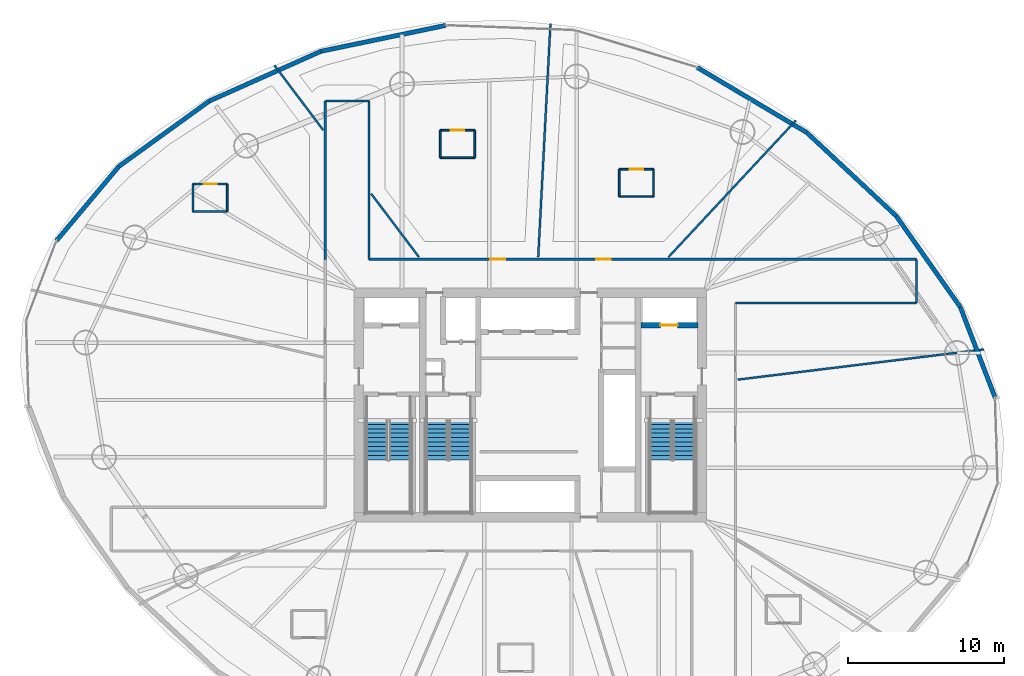
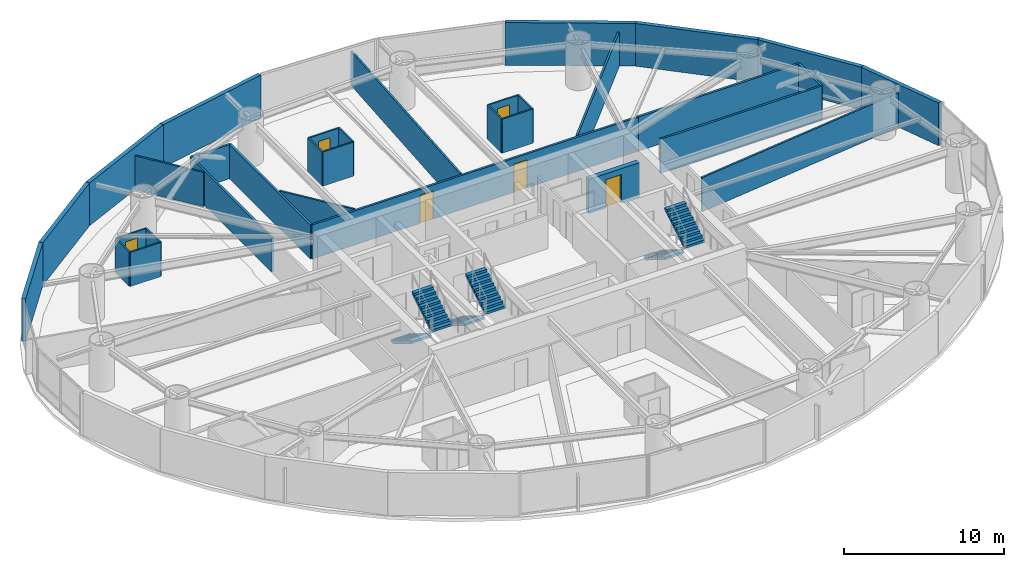
# One storey, part 23 of 27: 33 walls, 6 doors, 6 stair flights, 6 openings, 3 elements without a shape of their own.
"""IFC4 building model written with IfcOpenShell, lengths in metres."""

import ifcopenshell
import ifcopenshell.guid

model = None  # the IFC model being written
_history = None  # IfcOwnerHistory: only IFC2X3 demands one
_inside = {}  # id of a spatial element -> (the spatial element, [elements in it])
_under = {}  # id of a project, library or spatial element -> (it, [spatial elements below it])
_declared = {}  # id of a project -> (the project, [libraries it declares])
_typed = {}  # id of a type object -> (the type object, [elements of that type])
_made_of = {}  # id of a material, layer set ... -> (it, [elements and type objects made of it])


def new_model(schema):
    """Start an empty IFC model of exactly this schema.

    Asked for "IFC4X3", IfcOpenShell would pick the latest addendum, in which some entities
    have other attributes; the version numbers below select the first issue.
    IFC2X3 requires an IfcOwnerHistory on every rooted entity: one is made here for all.
    """
    global model, _history
    if schema == "IFC4X3":
        model = ifcopenshell.file(schema_version=(4, 3, 0, 0))
    else:
        model = ifcopenshell.file(schema=schema)
    _inside.clear()
    _under.clear()
    _declared.clear()
    _typed.clear()
    _made_of.clear()
    _history = None
    if model.schema == "IFC2X3":
        org = make("IfcOrganization", Name="unknown")
        user = make(
            "IfcPersonAndOrganization",
            ThePerson=make("IfcPerson", FamilyName="unknown"),
            TheOrganization=org,
        )
        app = make(
            "IfcApplication",
            ApplicationDeveloper=org,
            Version="unknown",
            ApplicationFullName="unknown",
            ApplicationIdentifier="unknown",
        )
        _history = make(
            "IfcOwnerHistory",
            OwningUser=user,
            OwningApplication=app,
            ChangeAction="ADDED",
            CreationDate=0,
        )
    return model


def make(cls, **values):
    """One entity of the class cls with the attributes given. An attribute that is None is left unset."""
    return model.create_entity(
        cls, **{name: value for name, value in values.items() if value is not None}
    )


def rooted(cls, **values):
    """An entity with a GlobalId (a new one), such as an element, a storey or a relation."""
    return make(cls, GlobalId=ifcopenshell.guid.new(), OwnerHistory=_history, **values)


def si_unit(unit_type, name, prefix=None):
    """IfcSIUnit, for example si_unit("LENGTHUNIT", "METRE", prefix="MILLI")."""
    return make("IfcSIUnit", UnitType=unit_type, Prefix=prefix, Name=name)


def assignment(units):
    """IfcUnitAssignment: the units of a project."""
    return None if units is None else make("IfcUnitAssignment", Units=units)


def point(xyz):
    """IfcCartesianPoint."""
    return None if xyz is None else make("IfcCartesianPoint", Coordinates=xyz)


def direction(xyz):
    """IfcDirection."""
    return None if xyz is None else make("IfcDirection", DirectionRatios=xyz)


def frame(location, z_axis=None, x_axis=None):
    """IfcAxis2Placement3D, a coordinate frame: its origin and axes. An axis left out is left unset."""
    return make(
        "IfcAxis2Placement3D",
        Location=point(location),
        Axis=direction(z_axis),
        RefDirection=direction(x_axis),
    )


def frame_2d(location, x_axis=None):
    """IfcAxis2Placement2D, a coordinate frame in the plane: its origin and x axis."""
    return make(
        "IfcAxis2Placement2D", Location=point(location), RefDirection=direction(x_axis)
    )


def origin():
    """The frame at (0, 0, 0) with its axes left unset."""
    return frame((0.0, 0.0, 0.0))


def place(relative_to, where):
    """IfcLocalPlacement: puts the frame where relative to a parent placement (None: the world)."""
    return make(
        "IfcLocalPlacement", PlacementRelTo=relative_to, RelativePlacement=where
    )


def context(
    kind, dimensions, precision=None, world=None, true_north=None, identifier=None
):
    """IfcGeometricRepresentationContext, for example the 3D "Model" context."""
    return make(
        "IfcGeometricRepresentationContext",
        ContextIdentifier=identifier,
        ContextType=kind,
        CoordinateSpaceDimension=dimensions,
        Precision=precision,
        WorldCoordinateSystem=world,
        TrueNorth=true_north,
    )


def subcontext(parent, identifier, kind, view, scale=None):
    """IfcGeometricRepresentationSubContext, for example "Body" below "Model"."""
    return make(
        "IfcGeometricRepresentationSubContext",
        ContextIdentifier=identifier,
        ContextType=kind,
        ParentContext=parent,
        TargetScale=scale,
        TargetView=view,
    )


def project(units=None, contexts=None):
    """IfcProject with its units and contexts."""
    return rooted(
        "IfcProject",
        Name="project",
        RepresentationContexts=contexts,
        UnitsInContext=assignment(units),
    )


def spatial(cls, under=None, at=None, **own):
    """A site, building, storey or space (cls), placed at a placement, below another one or the project."""
    s = rooted(cls, ObjectPlacement=at, **own)
    if under is not None:
        _under.setdefault(under.id(), (under, []))[1].append(s)
    return s


def polyline(points):
    """IfcPolyline through the points."""
    return make("IfcPolyline", Points=[point(p) for p in points])


def profile(cls, at=None, kind="AREA", **sizes):
    """A parametric profile (cls). Its sizes go by their IFC names, for example OverallWidth=200.0."""
    return make(cls, ProfileType=kind, Position=at, **sizes)


def rectangle(**sizes):
    """IfcRectangleProfileDef."""
    return profile("IfcRectangleProfileDef", **sizes)


def outline(outer, holes=None, kind="AREA"):
    """IfcArbitraryClosedProfileDef: a profile drawn as a closed curve; with holes, ...WithVoids."""
    if holes is None:
        return make("IfcArbitraryClosedProfileDef", ProfileType=kind, OuterCurve=outer)
    return make(
        "IfcArbitraryProfileDefWithVoids",
        ProfileType=kind,
        OuterCurve=outer,
        InnerCurves=holes,
    )


def extrude(swept, where, along, depth):
    """IfcExtrudedAreaSolid: the profile swept, set in the frame where, extruded along a direction by depth."""
    return make(
        "IfcExtrudedAreaSolid",
        SweptArea=swept,
        Position=where,
        ExtrudedDirection=direction(along),
        Depth=depth,
    )


def shape(context_of_items, identifier, shape_type, items):
    """IfcShapeRepresentation: the items that make up one representation, for example the "Body"."""
    return make(
        "IfcShapeRepresentation",
        ContextOfItems=context_of_items,
        RepresentationIdentifier=identifier,
        RepresentationType=shape_type,
        Items=items,
    )


def material(Name=None, Category=None):
    """IfcMaterial."""
    return make("IfcMaterial", Name=Name, Category=Category)


def layer(
    of_material, thickness, ventilated=None, Name=None, Category=None, Priority=None
):
    """IfcMaterialLayer: one layer of a wall or slab, of a material (None: an air gap)."""
    return make(
        "IfcMaterialLayer",
        Material=of_material,
        LayerThickness=thickness,
        IsVentilated=ventilated,
        Name=Name,
        Category=Category,
        Priority=Priority,
    )


def layer_set(layers, Name=None):
    """IfcMaterialLayerSet."""
    return make("IfcMaterialLayerSet", MaterialLayers=layers, LayerSetName=Name)


def made_of(thing, what):
    """Note that an element or type object is made of a material, layer set ...; save() writes the relation."""
    if what is not None:
        _made_of.setdefault(what.id(), (what, []))[1].append(thing)
    return thing


def type_object(cls, material=None, **own):
    """A type object (cls), such as IfcWallType, which elements share."""
    return made_of(rooted(cls, **own), material)


def element(
    cls,
    number,
    at=None,
    inside=None,
    cuts=None,
    type_object=None,
    material=None,
    context=None,
    identifier="Body",
    shape_type=None,
    held_by="IfcProductDefinitionShape",
    body=None,
    shapes=None,
    **own,
):
    """One element of the class cls, such as IfcWall. Its Tag is "e" and its number.

    at: its placement. inside: the storey or other place that contains it. cuts: it is an
    opening in that element (IfcRelVoidsElement). A single representation is given by context,
    identifier, shape_type and body (its items); several are given by shapes. held_by: the class
    of the entity that holds the representations. save() writes the other relations.
    """
    e = rooted(cls, Tag="e%d" % number, ObjectPlacement=at, **own)
    if body is not None:
        shapes = [shape(context, identifier, shape_type, body)]
    if shapes is not None:
        e.Representation = make(held_by, Representations=shapes)
    if inside is not None:
        _inside.setdefault(inside.id(), (inside, []))[1].append(e)
    if cuts is not None:
        rooted(
            "IfcRelVoidsElement", RelatingBuildingElement=cuts, RelatedOpeningElement=e
        )
    if type_object is not None:
        _typed.setdefault(type_object.id(), (type_object, []))[1].append(e)
    return made_of(e, material)


def fill(opening, filler):
    """IfcRelFillsElement: the door or window that sits in an opening."""
    return rooted(
        "IfcRelFillsElement",
        RelatingOpeningElement=opening,
        RelatedBuildingElement=filler,
    )


def aggregate(whole, parts):
    """IfcRelAggregates: a whole, such as a stair, and the parts it consists of."""
    return rooted("IfcRelAggregates", RelatingObject=whole, RelatedObjects=parts)


def save(model, path):
    """Write the relations noted so far, then the file.

    IfcRelAggregates (storeys below a building ...), IfcRelContainedInSpatialStructure (elements
    in a storey), IfcRelDefinesByType, IfcRelAssociatesMaterial and IfcRelDeclares: one each for
    every whole, place, type object, material and project.
    """
    for whole, parts in _under.values():
        aggregate(whole, parts)
    for where, things in _inside.values():
        rooted(
            "IfcRelContainedInSpatialStructure",
            RelatedElements=things,
            RelatingStructure=where,
        )
    for kind, things in _typed.values():
        rooted("IfcRelDefinesByType", RelatedObjects=things, RelatingType=kind)
    for what, things in _made_of.values():
        rooted("IfcRelAssociatesMaterial", RelatedObjects=things, RelatingMaterial=what)
    for by, libraries in _declared.values():
        rooted("IfcRelDeclares", RelatingContext=by, RelatedDefinitions=libraries)
    model.write(path)


model = new_model("IFC4")

# Units and contexts
model_context = context("Model", 3, precision=1e-05, world=origin(), true_north=direction((0.0, 1.0)))
body_context = subcontext(model_context, "Body", "Model", "MODEL_VIEW")
ifc_project = project(units=[si_unit("LENGTHUNIT", "METRE"), si_unit("AREAUNIT", "SQUARE_METRE"), si_unit("VOLUMEUNIT", "CUBIC_METRE"), si_unit("PLANEANGLEUNIT", "RADIAN"), si_unit("MASSUNIT", "GRAM", prefix="KILO")], contexts=[model_context])

# Site, building, storey
site_placement = place(None, origin())
site = spatial("IfcSite", under=ifc_project, at=site_placement, CompositionType="ELEMENT")
building_placement = place(site_placement, origin())
building = spatial("IfcBuilding", under=site, at=building_placement, Name="Bramvorn Convention Spire", CompositionType="ELEMENT")
storey_placement = place(building_placement, frame((0.0, 0.0, 72.89990234375)))
storey = spatial("IfcBuildingStorey", under=building, at=storey_placement, Name="L16", CompositionType="ELEMENT", Elevation=72.89990234375)

# Wall, opening, door
ifc_material_1 = material(Name="Concrete C50/60", Category="concrete")
ifc_layer_1 = layer(ifc_material_1, 0.35009765625)
ifc_layer_set_1 = layer_set([ifc_layer_1], Name="Concrete C50/60 - WL-CORE-INT-350")
wall_type_1 = type_object("IfcWallType", Name="WL-CORE-INT-350", PredefinedType="SHEAR", material=ifc_layer_set_1)
wall_1_placement = place(storey_placement, frame((45.080078125, 31.1201171875, 0.0), z_axis=(0.0, 0.0, 1.0), x_axis=(1.0, 0.0, 0.0)))
wall_1 = element("IfcWall", 1, at=wall_1_placement, inside=storey, type_object=wall_type_1, Name="L16 FE2 shaft front wall", PredefinedType="SHEAR", context=body_context, shape_type="SweptSolid", body=[
    extrude(rectangle(XDim=3.669921875, YDim=0.35009765625, at=frame_2d((1.8349609375, 0.0))), origin(), (0.0, 0.0, 1.0), 2.60009765625),
])
opening_1_placement = place(wall_1_placement, frame((1.25, 0.0, 0.0)))
opening_1 = element("IfcOpeningElement", 2, at=opening_1_placement, cuts=wall_1, Name="Opening LD-110", PredefinedType="OPENING", context=body_context, shape_type="SweptSolid", body=[
    extrude(rectangle(XDim=1.10009765625, YDim=2.14990234375, at=frame_2d((0.550048828125, 1.074951171875))), frame((0.0, 0.18505859375, 0.0), z_axis=(0.0, -1.0, 0.0), x_axis=(1.0, 0.0, 0.0)), (0.0, 0.0, 1.0), 0.3701171875),
])
ifc_material_2 = material(Name="Firefighting & Service Lift Sliding Landing Door", Category="steel")
door_type_1 = type_object("IfcDoorType", Name="DR-LIFT-LD-1100", OperationType="NOTDEFINED", PredefinedType="DOOR", material=ifc_material_2)
door_1_placement = place(opening_1_placement, origin())
door_1 = element("IfcDoor", 3, at=door_1_placement, inside=storey, type_object=door_type_1, Name="L16 Lift FE2 Sliding Landing Door", OperationType="SLIDING_TO_LEFT", OverallHeight=2.14990234375, OverallWidth=1.10009765625, PredefinedType="DOOR", context=body_context, shape_type="SweptSolid", body=[
    extrude(rectangle(XDim=1.10009765625, YDim=2.14990234375, at=frame_2d((0.550048828125, 1.074951171875))), frame((0.0, 0.02490234375, 0.0), z_axis=(0.0, -1.0, 0.0), x_axis=(1.0, 0.0, 0.0)), (0.0, 0.0, 1.0), 0.050048828125),
])
fill(opening_1, door_1)

# Walls
ifc_material_3 = material(Name="Precast Concrete C40/50 with Bronze Terracotta Rainscreen", Category="masonry")
ifc_layer_2 = layer(ifc_material_3, 0.300048828125)
ifc_layer_set_2 = layer_set([ifc_layer_2], Name="Precast Concrete C40/50 with Bronze Terracotta Rainscreen - WL-EXT-BRONZE-300")
wall_type_2 = type_object("IfcWallType", Name="WL-EXT-BRONZE-300", PredefinedType="SOLIDWALL", material=ifc_layer_set_2)
wall_2_placement = place(storey_placement, frame((65.5634765625, 32.279296875, 0.0), z_axis=(0.0, 0.0, 1.0), x_axis=(0.358705168574, -0.933450910353, 0.0)))
element("IfcWall", 4, at=wall_2_placement, inside=storey, type_object=wall_type_2, Name="L16 expressed bronze Gothic lancet pier wall 02", PredefinedType="SOLIDWALL", context=body_context, shape_type="SweptSolid", body=[
    extrude(rectangle(XDim=6.2119140625, YDim=0.280029296875, at=frame_2d((3.10595703125, 0.0))), origin(), (0.0, 0.0, 1.0), 3.25),
])
wall_3_placement = place(storey_placement, frame((61.452392578125, 38.12060546875, 0.0), z_axis=(0.0, 0.0, 1.0), x_axis=(0.575543356888, -0.817771266518, 0.0)))
element("IfcWall", 5, at=wall_3_placement, inside=storey, type_object=wall_type_2, Name="L16 expressed bronze Gothic lancet pier wall 03", PredefinedType="SOLIDWALL", context=body_context, shape_type="SweptSolid", body=[
    extrude(rectangle(XDim=7.14306640625, YDim=0.280029296875, at=frame_2d((3.571533203125, 0.0))), origin(), (0.0, 0.0, 1.0), 3.25),
])
wall_4_placement = place(storey_placement, frame((55.716796875, 43.472412109375, 0.0), z_axis=(0.0, 0.0, 1.0), x_axis=(0.731145300825, -0.682221774119, 0.0)))
element("IfcWall", 6, at=wall_4_placement, inside=storey, type_object=wall_type_2, Name="L16 expressed bronze Gothic lancet pier wall 04", PredefinedType="SOLIDWALL", context=body_context, shape_type="SweptSolid", body=[
    extrude(rectangle(XDim=7.8447265625, YDim=0.280029296875, at=frame_2d((3.92236328125, 0.0))), origin(), (0.0, 0.0, 1.0), 3.25),
])
wall_5_placement = place(storey_placement, frame((48.693115234375, 47.647216796875, 0.0), z_axis=(0.0, 0.0, 1.0), x_axis=(0.859613214245, -0.510945321825, 0.0)))
element("IfcWall", 7, at=wall_5_placement, inside=storey, type_object=wall_type_2, Name="L16 expressed bronze Gothic lancet pier wall 05", PredefinedType="SOLIDWALL", context=body_context, shape_type="SweptSolid", body=[
    extrude(rectangle(XDim=8.170654296875, YDim=0.280029296875, at=frame_2d((4.08544921875, 0.0))), origin(), (0.0, 0.0, 1.0), 3.25),
])
wall_6_placement = place(storey_placement, frame((24.56982421875, 48.6845703125, 0.0), z_axis=(0.0, 0.0, 1.0), x_axis=(0.979128564845, 0.203241859626, 0.0)))
element("IfcWall", 8, at=wall_6_placement, inside=storey, type_object=wall_type_2, Name="L16 expressed bronze Gothic lancet pier wall 08", PredefinedType="SOLIDWALL", context=body_context, shape_type="SweptSolid", body=[
    extrude(rectangle(XDim=8.1708984375, YDim=0.280029296875, at=frame_2d((4.08544921875, 0.0))), origin(), (0.0, 0.0, 1.0), 3.25),
])
wall_7_placement = place(storey_placement, frame((17.404296875, 45.49169921875, 0.0), z_axis=(0.0, 0.0, 1.0), x_axis=(0.913423554357, 0.407010331989, 0.0)))
element("IfcWall", 9, at=wall_7_placement, inside=storey, type_object=wall_type_2, Name="L16 expressed bronze Gothic lancet pier wall 09", PredefinedType="SOLIDWALL", context=body_context, shape_type="SweptSolid", body=[
    extrude(rectangle(XDim=7.8447265625, YDim=0.280029296875, at=frame_2d((3.92236328125, 0.0))), origin(), (0.0, 0.0, 1.0), 3.25),
])
wall_8_placement = place(storey_placement, frame((11.615478515625, 41.306884765625, 0.0), z_axis=(0.0, 0.0, 1.0), x_axis=(0.810413271272, 0.585858626075, 0.0)))
element("IfcWall", 10, at=wall_8_placement, inside=storey, type_object=wall_type_2, Name="L16 expressed bronze Gothic lancet pier wall 10", PredefinedType="SOLIDWALL", context=body_context, shape_type="SweptSolid", body=[
    extrude(rectangle(XDim=7.14306640625, YDim=0.280029296875, at=frame_2d((3.571533203125, 0.0))), origin(), (0.0, 0.0, 1.0), 3.25),
])
wall_9_placement = place(storey_placement, frame((7.62060546875, 36.5498046875, 0.0), z_axis=(0.0, 0.0, 1.0), x_axis=(0.643090693199, 0.76579002365, 0.0)))
element("IfcWall", 11, at=wall_9_placement, inside=storey, type_object=wall_type_2, Name="L16 expressed bronze Gothic lancet pier wall 11", PredefinedType="SOLIDWALL", context=body_context, shape_type="SweptSolid", body=[
    extrude(rectangle(XDim=6.2119140625, YDim=0.280029296875, at=frame_2d((3.10595703125, 0.0))), origin(), (0.0, 0.0, 1.0), 3.25),
])
ifc_material_4 = material(Name="Lightweight En-Suite & Wet-Wall Partition", Category="gypsum")
ifc_layer_3 = layer(ifc_material_4, 0.110107421875)
ifc_layer_set_3 = layer_set([ifc_layer_3], Name="Lightweight En-Suite & Wet-Wall Partition - WL-PART-110")
wall_type_3 = type_object("IfcWallType", Name="WL-PART-110", PredefinedType="PARTITIONING", material=ifc_layer_set_3)
wall_10_placement = place(storey_placement, frame((43.696044921875, 39.3662109375, 0.0), z_axis=(0.0, 0.0, 1.0), x_axis=(1.0, 0.0, 0.0)))
element("IfcWall", 12, at=wall_10_placement, inside=storey, type_object=wall_type_3, Name="Hotel Suite 1602 en-suite south wall", PredefinedType="PARTITIONING", context=body_context, shape_type="SweptSolid", body=[
    extrude(rectangle(XDim=2.199951171875, YDim=0.110107421875, at=frame_2d((1.10009765625, 0.0))), origin(), (0.0, 0.0, 1.0), 2.60009765625),
])

# Wall, opening, door
wall_11_placement = place(storey_placement, frame((43.696044921875, 41.126220703125, 0.0), z_axis=(0.0, 0.0, 1.0), x_axis=(1.0, 0.0, 0.0)))
wall_11 = element("IfcWall", 13, at=wall_11_placement, inside=storey, type_object=wall_type_3, Name="Hotel Suite 1602 en-suite north wall", PredefinedType="PARTITIONING", context=body_context, shape_type="SweptSolid", body=[
    extrude(rectangle(XDim=2.199951171875, YDim=0.110107421875, at=frame_2d((1.10009765625, 0.0))), origin(), (0.0, 0.0, 1.0), 2.60009765625),
])
opening_2_placement = place(wall_11_placement, frame((0.679931640625, 0.0, 0.0)))
opening_2 = element("IfcOpeningElement", 14, at=opening_2_placement, cuts=wall_11, Name="Opening DI-085", PredefinedType="OPENING", context=body_context, shape_type="SweptSolid", body=[
    extrude(rectangle(XDim=0.85009765625, YDim=2.10009765625, at=frame_2d((0.425048828125, 1.050048828125))), frame((0.0, 0.06494140625, 0.0), z_axis=(0.0, -1.0, 0.0), x_axis=(1.0, 0.0, 0.0)), (0.0, 0.0, 1.0), 0.130126953125),
])
ifc_material_5 = material(Name="En-Suite & Restroom Privacy Door", Category="wood")
door_type_2 = type_object("IfcDoorType", Name="DR-INT-850", OperationType="NOTDEFINED", PredefinedType="DOOR", material=ifc_material_5)
door_2_placement = place(opening_2_placement, origin())
door_2 = element("IfcDoor", 15, at=door_2_placement, inside=storey, type_object=door_type_2, Name="Hotel Suite 1602 En-Suite Bathroom door", OperationType="SINGLE_SWING_LEFT", OverallHeight=2.10009765625, OverallWidth=0.85009765625, PredefinedType="DOOR", context=body_context, shape_type="SweptSolid", body=[
    extrude(rectangle(XDim=0.85009765625, YDim=2.10009765625, at=frame_2d((0.425048828125, 1.050048828125))), frame((0.0, 0.02490234375, 0.0), z_axis=(0.0, -1.0, 0.0), x_axis=(1.0, 0.0, 0.0)), (0.0, 0.0, 1.0), 0.050048828125),
])
fill(opening_2, door_2)

# Walls
for number, where, z_axis, x_axis, name in (
    (16, (43.696044921875, 39.3662109375, 0.0), (0.0, 0.0, 1.0), (0.0, 1.0, 0.0), "Hotel Suite 1602 en-suite west wall"),
    (17, (45.89599609375, 39.3662109375, 0.0), (0.0, 0.0, 1.0), (0.0, 1.0, 0.0), "Hotel Suite 1602 en-suite east wall"),
):
    element("IfcWall", number, at=place(storey_placement, frame(where, z_axis=z_axis, x_axis=x_axis)), inside=storey, type_object=wall_type_3, Name=name, PredefinedType="PARTITIONING", context=body_context, shape_type="SweptSolid", body=[
        extrude(rectangle(XDim=1.760009765625, YDim=0.110107421875, at=frame_2d((0.8798828125, 0.0))), origin(), (0.0, 0.0, 1.0), 2.60009765625),
    ])
wall_12_placement = place(storey_placement, frame((32.222900390625, 41.858642578125, 0.0), z_axis=(0.0, 0.0, 1.0), x_axis=(1.0, 0.0, 0.0)))
element("IfcWall", 18, at=wall_12_placement, inside=storey, type_object=wall_type_3, Name="Hotel Suite 1603 en-suite south wall", PredefinedType="PARTITIONING", context=body_context, shape_type="SweptSolid", body=[
    extrude(rectangle(XDim=2.199951171875, YDim=0.110107421875, at=frame_2d((1.10009765625, 0.0))), origin(), (0.0, 0.0, 1.0), 2.60009765625),
])

# Wall, opening, door
wall_13_placement = place(storey_placement, frame((32.222900390625, 43.61865234375, 0.0), z_axis=(0.0, 0.0, 1.0), x_axis=(1.0, 0.0, 0.0)))
wall_13 = element("IfcWall", 19, at=wall_13_placement, inside=storey, type_object=wall_type_3, Name="Hotel Suite 1603 en-suite north wall", PredefinedType="PARTITIONING", context=body_context, shape_type="SweptSolid", body=[
    extrude(rectangle(XDim=2.199951171875, YDim=0.110107421875, at=frame_2d((1.10009765625, 0.0))), origin(), (0.0, 0.0, 1.0), 2.60009765625),
])
opening_3_placement = place(wall_13_placement, frame((0.679931640625, 0.0, 0.0)))
opening_3 = element("IfcOpeningElement", 20, at=opening_3_placement, cuts=wall_13, Name="Opening DI-085", PredefinedType="OPENING", context=body_context, shape_type="SweptSolid", body=[
    extrude(rectangle(XDim=0.85009765625, YDim=2.10009765625, at=frame_2d((0.425048828125, 1.050048828125))), frame((0.0, 0.06494140625, 0.0), z_axis=(0.0, -1.0, 0.0), x_axis=(1.0, 0.0, 0.0)), (0.0, 0.0, 1.0), 0.130126953125),
])
door_3_placement = place(opening_3_placement, origin())
door_3 = element("IfcDoor", 21, at=door_3_placement, inside=storey, type_object=door_type_2, Name="Hotel Suite 1603 En-Suite Bathroom door", OperationType="SINGLE_SWING_LEFT", OverallHeight=2.10009765625, OverallWidth=0.85009765625, PredefinedType="DOOR", context=body_context, shape_type="SweptSolid", body=[
    extrude(rectangle(XDim=0.85009765625, YDim=2.10009765625, at=frame_2d((0.425048828125, 1.050048828125))), frame((0.0, 0.02490234375, 0.0), z_axis=(0.0, -1.0, 0.0), x_axis=(1.0, 0.0, 0.0)), (0.0, 0.0, 1.0), 0.050048828125),
])
fill(opening_3, door_3)

# Walls
for number, where, z_axis, x_axis, name in (
    (22, (32.222900390625, 41.858642578125, 0.0), (0.0, 0.0, 1.0), (0.0, 1.0, 0.0), "Hotel Suite 1603 en-suite west wall"),
    (23, (34.4228515625, 41.858642578125, 0.0), (0.0, 0.0, 1.0), (0.0, 1.0, 0.0), "Hotel Suite 1603 en-suite east wall"),
):
    element("IfcWall", number, at=place(storey_placement, frame(where, z_axis=z_axis, x_axis=x_axis)), inside=storey, type_object=wall_type_3, Name=name, PredefinedType="PARTITIONING", context=body_context, shape_type="SweptSolid", body=[
        extrude(rectangle(XDim=1.760009765625, YDim=0.110107421875, at=frame_2d((0.8798828125, 0.0))), origin(), (0.0, 0.0, 1.0), 2.60009765625),
    ])
wall_14_placement = place(storey_placement, frame((16.362548828125, 38.413818359375, 0.0), z_axis=(0.0, 0.0, 1.0), x_axis=(1.0, 0.0, 0.0)))
element("IfcWall", 24, at=wall_14_placement, inside=storey, type_object=wall_type_3, Name="Hotel Suite 1604 en-suite south wall", PredefinedType="PARTITIONING", context=body_context, shape_type="SweptSolid", body=[
    extrude(rectangle(XDim=2.199951171875, YDim=0.110107421875, at=frame_2d((1.10009765625, 0.0))), origin(), (0.0, 0.0, 1.0), 2.60009765625),
])

# Wall, opening, door
wall_15_placement = place(storey_placement, frame((16.362548828125, 40.173583984375, 0.0), z_axis=(0.0, 0.0, 1.0), x_axis=(1.0, 0.0, 0.0)))
wall_15 = element("IfcWall", 25, at=wall_15_placement, inside=storey, type_object=wall_type_3, Name="Hotel Suite 1604 en-suite north wall", PredefinedType="PARTITIONING", context=body_context, shape_type="SweptSolid", body=[
    extrude(rectangle(XDim=2.199951171875, YDim=0.110107421875, at=frame_2d((1.10009765625, 0.0))), origin(), (0.0, 0.0, 1.0), 2.60009765625),
])
opening_4_placement = place(wall_15_placement, frame((0.679931640625, 0.0, 0.0)))
opening_4 = element("IfcOpeningElement", 26, at=opening_4_placement, cuts=wall_15, Name="Opening DI-085", PredefinedType="OPENING", context=body_context, shape_type="SweptSolid", body=[
    extrude(rectangle(XDim=0.85009765625, YDim=2.10009765625, at=frame_2d((0.425048828125, 1.050048828125))), frame((0.0, 0.06494140625, 0.0), z_axis=(0.0, -1.0, 0.0), x_axis=(1.0, 0.0, 0.0)), (0.0, 0.0, 1.0), 0.130126953125),
])
door_4_placement = place(opening_4_placement, origin())
door_4 = element("IfcDoor", 27, at=door_4_placement, inside=storey, type_object=door_type_2, Name="Hotel Suite 1604 En-Suite Bathroom door", OperationType="SINGLE_SWING_LEFT", OverallHeight=2.10009765625, OverallWidth=0.85009765625, PredefinedType="DOOR", context=body_context, shape_type="SweptSolid", body=[
    extrude(rectangle(XDim=0.85009765625, YDim=2.10009765625, at=frame_2d((0.425048828125, 1.050048828125))), frame((0.0, 0.02490234375, 0.0), z_axis=(0.0, -1.0, 0.0), x_axis=(1.0, 0.0, 0.0)), (0.0, 0.0, 1.0), 0.050048828125),
])
fill(opening_4, door_4)

# Walls
for number, where, z_axis, x_axis, name in (
    (28, (16.362548828125, 38.413818359375, 0.0), (0.0, 0.0, 1.0), (0.0, 1.0, 0.0), "Hotel Suite 1604 en-suite west wall"),
    (29, (18.5625, 38.413818359375, 0.0), (0.0, 0.0, 1.0), (0.0, 1.0, 0.0), "Hotel Suite 1604 en-suite east wall"),
):
    element("IfcWall", number, at=place(storey_placement, frame(where, z_axis=z_axis, x_axis=x_axis)), inside=storey, type_object=wall_type_3, Name=name, PredefinedType="PARTITIONING", context=body_context, shape_type="SweptSolid", body=[
        extrude(rectangle(XDim=1.759765625, YDim=0.110107421875, at=frame_2d((0.8798828125, 0.0))), origin(), (0.0, 0.0, 1.0), 2.60009765625),
    ])
ifc_material_6 = material(Name="Metal-Stud Demountable Office Partition", Category="gypsum")
ifc_layer_4 = layer(ifc_material_6, 0.1298828125)
ifc_layer_set_4 = layer_set([ifc_layer_4], Name="Metal-Stud Demountable Office Partition - WL-PART-130")
wall_type_4 = type_object("IfcWallType", Name="WL-PART-130", PredefinedType="PARTITIONING", material=ifc_layer_set_4)
wall_16_placement = place(storey_placement, frame((51.2900390625, 27.6318359375, 0.0), z_axis=(0.0, 0.0, 1.0), x_axis=(0.992546840268, 0.121863734862, 0.0)))
element("IfcWall", 30, at=wall_16_placement, inside=storey, type_object=wall_type_4, Name="L16 Guestroom demising wall 1", PredefinedType="PARTITIONING", context=body_context, shape_type="SweptSolid", body=[
    extrude(rectangle(XDim=15.9189453125, YDim=0.1298828125, at=frame_2d((7.95947265625, 0.0))), origin(), (0.0, 0.0, 1.0), 2.60009765625),
])
wall_17_placement = place(storey_placement, frame((46.849609375, 35.489990234375, 0.0), z_axis=(0.0, 0.0, 1.0), x_axis=(0.682000932275, 0.731351302983, 0.0)))
element("IfcWall", 31, at=wall_17_placement, inside=storey, type_object=wall_type_4, Name="L16 Guestroom demising wall 2", PredefinedType="PARTITIONING", context=body_context, shape_type="SweptSolid", body=[
    extrude(rectangle(XDim=11.98193359375, YDim=0.1298828125, at=frame_2d((5.990966796875, 0.0))), origin(), (0.0, 0.0, 1.0), 2.60009765625),
])
wall_18_placement = place(storey_placement, frame((38.497314453125, 35.489990234375, 0.0), z_axis=(0.0, 0.0, 1.0), x_axis=(0.052337465479, 0.998629455658, 0.0)))
element("IfcWall", 32, at=wall_18_placement, inside=storey, type_object=wall_type_4, Name="L16 Guestroom demising wall 3", PredefinedType="PARTITIONING", context=body_context, shape_type="SweptSolid", body=[
    extrude(rectangle(XDim=14.992431640625, YDim=0.1298828125, at=frame_2d((7.49609375, 0.0))), origin(), (0.0, 0.0, 1.0), 2.60009765625),
])
wall_19_placement = place(storey_placement, frame((30.848876953125, 35.489990234375, 0.0), z_axis=(0.0, 0.0, 1.0), x_axis=(-0.601827595562, 0.798626035902, 0.0)))
element("IfcWall", 33, at=wall_19_placement, inside=storey, type_object=wall_type_4, Name="L16 Guestroom demising wall 4", PredefinedType="PARTITIONING", context=body_context, shape_type="SweptSolid", body=[
    extrude(rectangle(XDim=5.08251953125, YDim=0.1298828125, at=frame_2d((2.541259765625, 0.0))), origin(), (0.0, 0.0, 1.0), 2.60009765625),
])
wall_20_placement = place(storey_placement, frame((24.7099609375, 43.636474609375, 0.0), z_axis=(0.0, 0.0, 1.0), x_axis=(-0.601805197405, 0.798642914184, 0.0)))
element("IfcWall", 34, at=wall_20_placement, inside=storey, type_object=wall_type_4, Name="L16 Guestroom demising wall 4", PredefinedType="PARTITIONING", context=body_context, shape_type="SweptSolid", body=[
    extrude(rectangle(XDim=5.21044921875, YDim=0.1298828125, at=frame_2d((2.605224609375, 0.0))), origin(), (0.0, 0.0, 1.0), 2.60009765625),
])

# Wall, openings, doors
ifc_material_7 = material(Name="Acoustic Metal-Stud Tenant/Corridor Partition", Category="gypsum")
ifc_layer_5 = layer(ifc_material_7, 0.14990234375)
ifc_layer_set_5 = layer_set([ifc_layer_5], Name="Acoustic Metal-Stud Tenant/Corridor Partition - WL-PART-150")
wall_type_5 = type_object("IfcWallType", Name="WL-PART-150", PredefinedType="PARTITIONING", material=ifc_layer_set_5)
wall_21_placement = place(storey_placement, frame((27.64990234375, 35.35009765625, 0.0), z_axis=(0.0, 0.0, 1.0), x_axis=(1.0, 0.0, 0.0)))
wall_21 = element("IfcWall", 35, at=wall_21_placement, inside=storey, type_object=wall_type_5, Name="L16 North ring corridor wall", PredefinedType="PARTITIONING", context=body_context, shape_type="SweptSolid", body=[
    extrude(rectangle(XDim=23.5, YDim=0.14990234375, at=frame_2d((11.75, 0.0))), origin(), (0.0, 0.0, 1.0), 2.60009765625),
])
opening_5_placement = place(wall_21_placement, frame((14.55322265625, 0.0, 0.0)))
opening_5 = element("IfcOpeningElement", 36, at=opening_5_placement, cuts=wall_21, Name="Opening DH-095", PredefinedType="OPENING", context=body_context, shape_type="SweptSolid", body=[
    extrude(rectangle(XDim=0.949951171875, YDim=2.14990234375, at=frame_2d((0.47509765625, 1.074951171875))), frame((0.0, 0.0849609375, 0.0), z_axis=(0.0, -1.0, 0.0), x_axis=(1.0, 0.0, 0.0)), (0.0, 0.0, 1.0), 0.169921875),
])
opening_6_placement = place(wall_21_placement, frame((7.783935546875, 0.0, 0.0)))
opening_6 = element("IfcOpeningElement", 37, at=opening_6_placement, cuts=wall_21, Name="Opening DH-095", PredefinedType="OPENING", context=body_context, shape_type="SweptSolid", body=[
    extrude(rectangle(XDim=0.949951171875, YDim=2.14990234375, at=frame_2d((0.47509765625, 1.074951171875))), frame((0.0, 0.0849609375, 0.0), z_axis=(0.0, -1.0, 0.0), x_axis=(1.0, 0.0, 0.0)), (0.0, 0.0, 1.0), 0.169921875),
])
ifc_material_8 = material(Name="Solid-Core Acoustic Guestroom Entry Door", Category="wood")
door_type_3 = type_object("IfcDoorType", Name="DR-HOTEL-950", OperationType="NOTDEFINED", PredefinedType="DOOR", material=ifc_material_8)
door_5_placement = place(opening_5_placement, origin())
door_5 = element("IfcDoor", 38, at=door_5_placement, inside=storey, type_object=door_type_3, Name="Hotel Suite 1602 entry door", OperationType="SINGLE_SWING_RIGHT", OverallHeight=2.14990234375, OverallWidth=0.949951171875, PredefinedType="DOOR", context=body_context, shape_type="SweptSolid", body=[
    extrude(rectangle(XDim=0.949951171875, YDim=2.14990234375, at=frame_2d((0.47509765625, 1.074951171875))), frame((0.0, 0.02490234375, 0.0), z_axis=(0.0, -1.0, 0.0), x_axis=(1.0, 0.0, 0.0)), (0.0, 0.0, 1.0), 0.050048828125),
])
fill(opening_5, door_5)
door_6_placement = place(opening_6_placement, origin())
door_6 = element("IfcDoor", 39, at=door_6_placement, inside=storey, type_object=door_type_3, Name="Hotel Suite 1603 entry door", OperationType="SINGLE_SWING_RIGHT", OverallHeight=2.14990234375, OverallWidth=0.949951171875, PredefinedType="DOOR", context=body_context, shape_type="SweptSolid", body=[
    extrude(rectangle(XDim=0.949951171875, YDim=2.14990234375, at=frame_2d((0.47509765625, 1.074951171875))), frame((0.0, 0.02490234375, 0.0), z_axis=(0.0, -1.0, 0.0), x_axis=(1.0, 0.0, 0.0)), (0.0, 0.0, 1.0), 0.050048828125),
])
fill(opening_6, door_6)

# Walls
for number, where, z_axis, x_axis, name in (
    (40, (51.14990234375, 35.35009765625, 0.0), (0.0, 0.0, 1.0), (1.0, 0.0, 0.0), "L16 NE pinwheel wing north wall"),
    (41, (51.14990234375, 32.550048828125, 0.0), (0.0, 0.0, 1.0), (1.0, 0.0, 0.0), "L16 NE pinwheel wing south wall"),
):
    element("IfcWall", number, at=place(storey_placement, frame(where, z_axis=z_axis, x_axis=x_axis)), inside=storey, type_object=wall_type_5, Name=name, PredefinedType="PARTITIONING", context=body_context, shape_type="SweptSolid", body=[
        extrude(rectangle(XDim=11.606201171875, YDim=0.14990234375, at=frame_2d((5.80322265625, 0.0))), origin(), (0.0, 0.0, 1.0), 2.60009765625),
    ])
wall_22_placement = place(storey_placement, frame((62.756103515625, 32.550048828125, 0.0), z_axis=(0.0, 0.0, 1.0), x_axis=(0.0, 1.0, 0.0)))
element("IfcWall", 42, at=wall_22_placement, inside=storey, type_object=wall_type_5, Name="L16 NE pinwheel end wall", PredefinedType="PARTITIONING", context=body_context, shape_type="SweptSolid", body=[
    extrude(rectangle(XDim=2.800048828125, YDim=0.14990234375, at=frame_2d((1.39990234375, 0.0))), origin(), (0.0, 0.0, 1.0), 2.60009765625),
])
for number, where, z_axis, x_axis, name in (
    (43, (24.85009765625, 35.35009765625, 0.0), (0.0, 0.0, 1.0), (0.0, 1.0, 0.0), "L16 NW pinwheel wing west wall"),
    (44, (27.64990234375, 35.35009765625, 0.0), (0.0, 0.0, 1.0), (0.0, 1.0, 0.0), "L16 NW pinwheel wing east wall"),
):
    element("IfcWall", number, at=place(storey_placement, frame(where, z_axis=z_axis, x_axis=x_axis)), inside=storey, type_object=wall_type_5, Name=name, PredefinedType="PARTITIONING", context=body_context, shape_type="SweptSolid", body=[
        extrude(rectangle(XDim=10.14990234375, YDim=0.14990234375, at=frame_2d((5.074951171875, 0.0))), origin(), (0.0, 0.0, 1.0), 2.60009765625),
    ])
wall_23_placement = place(storey_placement, frame((24.85009765625, 45.5, 0.0), z_axis=(0.0, 0.0, 1.0), x_axis=(1.0, 0.0, 0.0)))
element("IfcWall", 45, at=wall_23_placement, inside=storey, type_object=wall_type_5, Name="L16 NW pinwheel end wall", PredefinedType="PARTITIONING", context=body_context, shape_type="SweptSolid", body=[
    extrude(rectangle(XDim=2.7998046875, YDim=0.14990234375, at=frame_2d((1.39990234375, 0.0))), origin(), (0.0, 0.0, 1.0), 2.60009765625),
])

# Stair, stair flights
ifc_material_9 = material(Name="Concrete C40/50 Precast Stair", Category="concrete")
stair_type = type_object("IfcStairType", Name="ST-TOWER-1550", PredefinedType="HALF_TURN_STAIR", material=ifc_material_9)
stair_1_placement = place(storey_placement, origin())
stair_1 = element("IfcStair", 46, at=stair_1_placement, inside=storey, type_object=stair_type, Name="L16 Protected Exit Stair ST1", PredefinedType="HALF_TURN_STAIR")
ifc_material_10 = material(Name="Concrete C40/50 Precast Stair Flight", Category="concrete")
stair_flight_type = type_object("IfcStairFlightType", Name="STF-TOWER-1550", PredefinedType="STRAIGHT", material=ifc_material_10)
stair_flight_1_placement = place(storey_placement, frame((28.155029296875, 25.050048828125, 0.0), z_axis=(0.0, 0.0, 1.0), x_axis=(0.0, -1.0, 0.0)))
stair_flight_1 = element("IfcStairFlight", 47, at=stair_flight_1_placement, type_object=stair_flight_type, Name="ST1 flight 1", NumberOfRisers=10, NumberOfTreads=9, PredefinedType="STRAIGHT", RiserHeight=0.175, TreadLength=0.285, context=body_context, shape_type="SweptSolid", body=[
    extrude(outline(polyline([(0.0, 0.0), (0.0, 0.175048828125), (0.284912109375, 0.175048828125), (0.284912109375, 0.35009765625), (0.570068359375, 0.35009765625), (0.570068359375, 0.52490234375), (0.85498046875, 0.52490234375), (0.85498046875, 0.699951171875), (1.139892578125, 0.699951171875), (1.139892578125, 0.875), (1.425048828125, 0.875), (1.425048828125, 1.050048828125), (1.7099609375, 1.050048828125), (1.7099609375, 1.22509765625), (1.9951171875, 1.22509765625), (1.9951171875, 1.39990234375), (2.280029296875, 1.39990234375), (2.280029296875, 1.574951171875), (2.56494140625, 1.574951171875), (2.56494140625, 1.75), (2.56494140625, 1.399169921875), (0.286376953125, 0.0), (0.0, 0.0)])), frame((0.0, 0.705078125, 0.0), z_axis=(0.0, -1.0, 0.0), x_axis=(1.0, 0.0, 0.0)), (0.0, 0.0, 1.0), 1.409912109375),
])
stair_flight_2_placement = place(storey_placement, frame((29.64501953125, 22.485107421875, 1.75), z_axis=(0.0, 0.0, 1.0), x_axis=(0.0, 1.0, 0.0)))
stair_flight_2 = element("IfcStairFlight", 48, at=stair_flight_2_placement, type_object=stair_flight_type, Name="ST1 flight 2", NumberOfRisers=10, NumberOfTreads=9, PredefinedType="STRAIGHT", RiserHeight=0.175, TreadLength=0.285, context=body_context, shape_type="SweptSolid", body=[
    extrude(outline(polyline([(0.0, 0.0), (0.0, 0.175048828125), (0.284912109375, 0.175048828125), (0.284912109375, 0.35009765625), (0.570068359375, 0.35009765625), (0.570068359375, 0.52490234375), (0.85498046875, 0.52490234375), (0.85498046875, 0.699951171875), (1.139892578125, 0.699951171875), (1.139892578125, 0.875), (1.425048828125, 0.875), (1.425048828125, 1.050048828125), (1.7099609375, 1.050048828125), (1.7099609375, 1.22509765625), (1.9951171875, 1.22509765625), (1.9951171875, 1.39990234375), (2.280029296875, 1.39990234375), (2.280029296875, 1.574951171875), (2.56494140625, 1.574951171875), (2.56494140625, 1.75), (2.56494140625, 1.399169921875), (0.286376953125, 0.0), (0.0, 0.0)])), frame((0.0, 0.705078125, 0.0), z_axis=(0.0, -1.0, 0.0), x_axis=(1.0, 0.0, 0.0)), (0.0, 0.0, 1.0), 1.409912109375),
])
aggregate(stair_1, [stair_flight_1, stair_flight_2])

stair_2_placement = place(storey_placement, origin())
stair_2 = element("IfcStair", 49, at=stair_2_placement, inside=storey, type_object=stair_type, Name="L16 Protected Exit Stair ST2", PredefinedType="HALF_TURN_STAIR")
stair_flight_3_placement = place(storey_placement, frame((46.35498046875, 25.050048828125, 0.0), z_axis=(0.0, 0.0, 1.0), x_axis=(0.0, -1.0, 0.0)))
stair_flight_3 = element("IfcStairFlight", 50, at=stair_flight_3_placement, type_object=stair_flight_type, Name="ST2 flight 1", NumberOfRisers=10, NumberOfTreads=9, PredefinedType="STRAIGHT", RiserHeight=0.175, TreadLength=0.285, context=body_context, shape_type="SweptSolid", body=[
    extrude(outline(polyline([(0.0, 0.0), (0.0, 0.175048828125), (0.284912109375, 0.175048828125), (0.284912109375, 0.35009765625), (0.570068359375, 0.35009765625), (0.570068359375, 0.52490234375), (0.85498046875, 0.52490234375), (0.85498046875, 0.699951171875), (1.139892578125, 0.699951171875), (1.139892578125, 0.875), (1.425048828125, 0.875), (1.425048828125, 1.050048828125), (1.7099609375, 1.050048828125), (1.7099609375, 1.22509765625), (1.9951171875, 1.22509765625), (1.9951171875, 1.39990234375), (2.280029296875, 1.39990234375), (2.280029296875, 1.574951171875), (2.56494140625, 1.574951171875), (2.56494140625, 1.75), (2.56494140625, 1.399169921875), (0.286376953125, 0.0), (0.0, 0.0)])), frame((0.0, 0.705078125, 0.0), z_axis=(0.0, -1.0, 0.0), x_axis=(1.0, 0.0, 0.0)), (0.0, 0.0, 1.0), 1.409912109375),
])
stair_flight_4_placement = place(storey_placement, frame((47.844970703125, 22.485107421875, 1.75), z_axis=(0.0, 0.0, 1.0), x_axis=(0.0, 1.0, 0.0)))
stair_flight_4 = element("IfcStairFlight", 51, at=stair_flight_4_placement, type_object=stair_flight_type, Name="ST2 flight 2", NumberOfRisers=10, NumberOfTreads=9, PredefinedType="STRAIGHT", RiserHeight=0.175, TreadLength=0.285, context=body_context, shape_type="SweptSolid", body=[
    extrude(outline(polyline([(0.0, 0.0), (0.0, 0.175048828125), (0.284912109375, 0.175048828125), (0.284912109375, 0.35009765625), (0.570068359375, 0.35009765625), (0.570068359375, 0.52490234375), (0.85498046875, 0.52490234375), (0.85498046875, 0.699951171875), (1.139892578125, 0.699951171875), (1.139892578125, 0.875), (1.425048828125, 0.875), (1.425048828125, 1.050048828125), (1.7099609375, 1.050048828125), (1.7099609375, 1.22509765625), (1.9951171875, 1.22509765625), (1.9951171875, 1.39990234375), (2.280029296875, 1.39990234375), (2.280029296875, 1.574951171875), (2.56494140625, 1.574951171875), (2.56494140625, 1.75), (2.56494140625, 1.399169921875), (0.286376953125, 0.0), (0.0, 0.0)])), frame((0.0, 0.705078125, 0.0), z_axis=(0.0, -1.0, 0.0), x_axis=(1.0, 0.0, 0.0)), (0.0, 0.0, 1.0), 1.409912109375),
])
aggregate(stair_2, [stair_flight_3, stair_flight_4])

stair_3_placement = place(storey_placement, origin())
stair_3 = element("IfcStair", 52, at=stair_3_placement, inside=storey, type_object=stair_type, Name="L16 Protected Exit Stair ST3", PredefinedType="HALF_TURN_STAIR")
stair_flight_5_placement = place(storey_placement, frame((32.0048828125, 25.050048828125, 0.0), z_axis=(0.0, 0.0, 1.0), x_axis=(0.0, -1.0, 0.0)))
stair_flight_5 = element("IfcStairFlight", 53, at=stair_flight_5_placement, type_object=stair_flight_type, Name="ST3 flight 1", NumberOfRisers=10, NumberOfTreads=9, PredefinedType="STRAIGHT", RiserHeight=0.175, TreadLength=0.285, context=body_context, shape_type="SweptSolid", body=[
    extrude(outline(polyline([(0.0, 0.0), (0.0, 0.175048828125), (0.284912109375, 0.175048828125), (0.284912109375, 0.35009765625), (0.570068359375, 0.35009765625), (0.570068359375, 0.52490234375), (0.85498046875, 0.52490234375), (0.85498046875, 0.699951171875), (1.139892578125, 0.699951171875), (1.139892578125, 0.875), (1.425048828125, 0.875), (1.425048828125, 1.050048828125), (1.7099609375, 1.050048828125), (1.7099609375, 1.22509765625), (1.9951171875, 1.22509765625), (1.9951171875, 1.39990234375), (2.280029296875, 1.39990234375), (2.280029296875, 1.574951171875), (2.56494140625, 1.574951171875), (2.56494140625, 1.75), (2.56494140625, 1.399169921875), (0.286376953125, 0.0), (0.0, 0.0)])), frame((0.0, 0.705078125, 0.0), z_axis=(0.0, -1.0, 0.0), x_axis=(1.0, 0.0, 0.0)), (0.0, 0.0, 1.0), 1.409912109375),
])
stair_flight_6_placement = place(storey_placement, frame((33.4951171875, 22.485107421875, 1.75), z_axis=(0.0, 0.0, 1.0), x_axis=(0.0, 1.0, 0.0)))
stair_flight_6 = element("IfcStairFlight", 54, at=stair_flight_6_placement, type_object=stair_flight_type, Name="ST3 flight 2", NumberOfRisers=10, NumberOfTreads=9, PredefinedType="STRAIGHT", RiserHeight=0.175, TreadLength=0.285, context=body_context, shape_type="SweptSolid", body=[
    extrude(outline(polyline([(0.0, 0.0), (0.0, 0.175048828125), (0.284912109375, 0.175048828125), (0.284912109375, 0.35009765625), (0.570068359375, 0.35009765625), (0.570068359375, 0.52490234375), (0.85498046875, 0.52490234375), (0.85498046875, 0.699951171875), (1.139892578125, 0.699951171875), (1.139892578125, 0.875), (1.425048828125, 0.875), (1.425048828125, 1.050048828125), (1.7099609375, 1.050048828125), (1.7099609375, 1.22509765625), (1.9951171875, 1.22509765625), (1.9951171875, 1.39990234375), (2.280029296875, 1.39990234375), (2.280029296875, 1.574951171875), (2.56494140625, 1.574951171875), (2.56494140625, 1.75), (2.56494140625, 1.399169921875), (0.286376953125, 0.0), (0.0, 0.0)])), frame((0.0, 0.705078125, 0.0), z_axis=(0.0, -1.0, 0.0), x_axis=(1.0, 0.0, 0.0)), (0.0, 0.0, 1.0), 1.409912109375),
])
aggregate(stair_3, [stair_flight_5, stair_flight_6])

save(model, "model.ifc")
